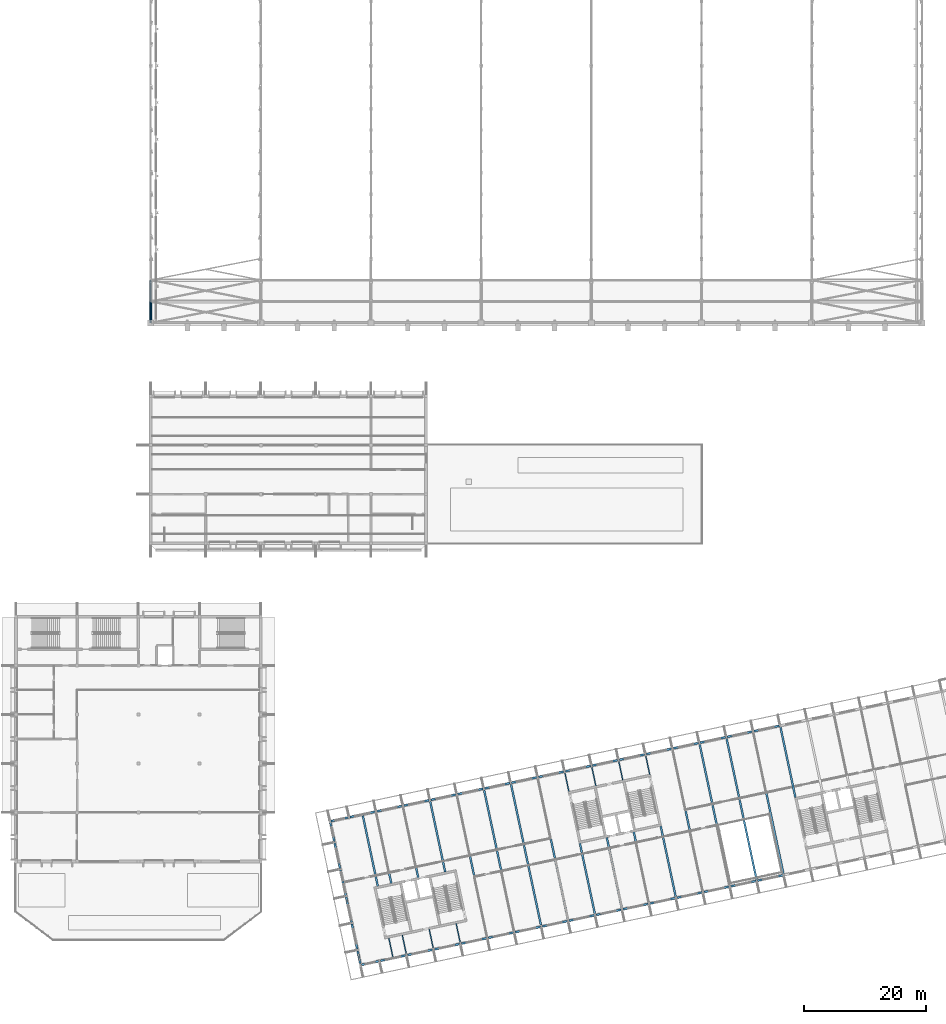
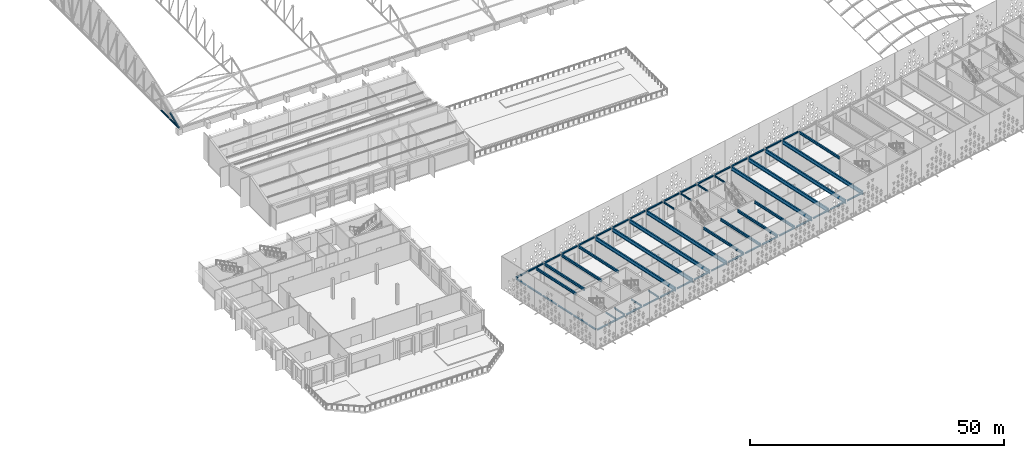
# One storey, part 26 of 196: 64 beams, 2 members.
"""IFC4 building model written with IfcOpenShell, lengths in metres."""

from ifc_helpers import new_model, si_unit, direction, frame, origin, origin_2d, place, context, subcontext, project, spatial, hollow_circle, i_section, extrude, material, material_profile, profile_set, type_object, element, save


model = new_model("IFC4")

# Units and contexts
model_context = context("Model", 3, precision=1e-05, world=origin(), true_north=direction((0.0, 1.0)))
body_context = subcontext(model_context, "Body", "Model", "MODEL_VIEW")
ifc_project = project(units=[si_unit("LENGTHUNIT", "METRE"), si_unit("AREAUNIT", "SQUARE_METRE"), si_unit("VOLUMEUNIT", "CUBIC_METRE"), si_unit("PLANEANGLEUNIT", "RADIAN"), si_unit("MASSUNIT", "GRAM", prefix="KILO")], contexts=[model_context])

# Site, building, storey
site_placement = place(None, origin())
site = spatial("IfcSite", under=ifc_project, at=site_placement, CompositionType="ELEMENT")
building_placement = place(site_placement, origin())
building = spatial("IfcBuilding", under=site, at=building_placement, Name="Okhra Congress Centre", CompositionType="ELEMENT")
storey_placement = place(building_placement, frame((0.0, 0.0, 12.0)))
storey = spatial("IfcBuildingStorey", under=building, at=storey_placement, Name="L02", CompositionType="ELEMENT", Elevation=12.0)

# Members
ifc_material_1 = material(Name="Steel S355J2H", Category="steel")
ifc_material_profile_1 = material_profile(ifc_material_1, hollow_circle(Radius=0.177734375, WallThickness=0.02490234375, at=origin_2d()), Name="CHS 355.6x25.0")
ifc_profile_set_1 = profile_set([ifc_material_profile_1], Name="Steel S355J2H")
member_type_1 = type_object("IfcMemberType", Name="CHS 355.6x25.0", PredefinedType="CHORD", material=ifc_profile_set_1)
member_1_placement = place(storey_placement, frame((28.0, 132.0, 1.39990234375), z_axis=(0.0, 1.0, 0.0), x_axis=(-1.0, 0.0, 0.0)))
element("IfcMember", 1, at=member_1_placement, inside=storey, type_object=member_type_1, Name="EH.MEM.L02.T1-BOT-01", PredefinedType="CHORD", context=body_context, shape_type="SweptSolid", body=[
    extrude(hollow_circle(Radius=0.177734375, WallThickness=0.02490234375, at=origin_2d()), origin(), (0.0, 0.0, 1.0), 7.0),
])
ifc_material_profile_2 = material_profile(ifc_material_1, hollow_circle(Radius=0.203125, WallThickness=0.02490234375, at=origin_2d()), Name="CHS 406.4x25.0")
ifc_profile_set_2 = profile_set([ifc_material_profile_2], Name="Steel S355J2H")
member_type_2 = type_object("IfcMemberType", Name="CHS 406.4x25.0", PredefinedType="CHORD", material=ifc_profile_set_2)
member_2_placement = place(storey_placement, frame((28.0, 132.0, 1.39990234375), z_axis=(0.0, 0.912710800597, 0.408606160591), x_axis=(-1.0, 0.0, 0.0)))
element("IfcMember", 2, at=member_2_placement, inside=storey, type_object=member_type_2, Name="EH.MEM.L02.T1-TOP-01", PredefinedType="CHORD", context=body_context, shape_type="SweptSolid", body=[
    extrude(hollow_circle(Radius=0.203125, WallThickness=0.02490234375, at=origin_2d()), origin(), (0.0, 0.0, 1.0), 3.834716796875),
])

# Beams
ifc_material_2 = material(Name="Steel S355J2", Category="steel")
ifc_material_profile_3 = material_profile(ifc_material_2, i_section(OverallWidth=0.300048828125, OverallDepth=0.2900390625, WebThickness=0.008544921875, FlangeThickness=0.013916015625, FilletRadius=0.027099609375, at=origin_2d()), Name="HE 300 A")
ifc_profile_set_3 = profile_set([ifc_material_profile_3], Name="Steel S355J2")
beam_type_1 = type_object("IfcBeamType", Name="Edge beam HE 300 A", PredefinedType="BEAM", material=ifc_profile_set_3)
beam_1_placement = place(storey_placement, frame((62.453857421875, 27.115966796875, 4.5048828125), z_axis=(0.978151512004, 0.207893288886, 0.0), x_axis=(-0.207893288886, 0.978151512004, 0.0)))
element("IfcBeam", 3, at=beam_1_placement, inside=storey, type_object=beam_type_1, Name="Edge beam S1", PredefinedType="BEAM", context=body_context, shape_type="SweptSolid", body=[
    extrude(i_section(OverallWidth=0.300048828125, OverallDepth=0.2900390625, WebThickness=0.008544921875, FlangeThickness=0.013916015625, FilletRadius=0.027099609375, at=origin_2d()), origin(), (0.0, 0.0, 1.0), 2.874755859375),
])
beam_2_placement = place(storey_placement, frame((65.559326171875, 27.776123046875, 4.5048828125), z_axis=(0.978155748334, 0.207873355681, 0.0), x_axis=(-0.207873355681, 0.978155748334, 0.0)))
element("IfcBeam", 4, at=beam_2_placement, inside=storey, type_object=beam_type_1, Name="Edge beam S2", PredefinedType="BEAM", context=body_context, shape_type="SweptSolid", body=[
    extrude(i_section(OverallWidth=0.300048828125, OverallDepth=0.2900390625, WebThickness=0.008544921875, FlangeThickness=0.013916015625, FilletRadius=0.027099609375, at=origin_2d()), origin(), (0.0, 0.0, 1.0), 4.199951171875),
])
beam_3_placement = place(storey_placement, frame((69.9609375, 28.711669921875, 4.5048828125), z_axis=(0.978146440129, 0.207917150959, 0.0), x_axis=(-0.207917150959, 0.978146440129, 0.0)))
element("IfcBeam", 5, at=beam_3_placement, inside=storey, type_object=beam_type_1, Name="Edge beam S3", PredefinedType="BEAM", context=body_context, shape_type="SweptSolid", body=[
    extrude(i_section(OverallWidth=0.300048828125, OverallDepth=0.2900390625, WebThickness=0.008544921875, FlangeThickness=0.013916015625, FilletRadius=0.027099609375, at=origin_2d()), origin(), (0.0, 0.0, 1.0), 4.2001953125),
])
for number, where, z_axis, x_axis, name in (
    (6, (74.36279296875, 29.647216796875, 4.5048828125), (0.978143927149, 0.207928972925, 0.0), (-0.207928972925, 0.978143927149, 0.0), "Edge beam S4"),
    (7, (78.764404296875, 30.582763671875, 4.5048828125), (0.978143927149, 0.207928972925, 0.0), (-0.207928972925, 0.978143927149, 0.0), "Edge beam S5"),
    (8, (83.166015625, 31.5185546875, 4.5048828125), (0.978155748334, 0.207873355681, 0.0), (-0.207873355681, 0.978155748334, 0.0), "Edge beam S6"),
):
    element("IfcBeam", number, at=place(storey_placement, frame(where, z_axis=z_axis, x_axis=x_axis)), inside=storey, type_object=beam_type_1, Name=name, PredefinedType="BEAM", context=body_context, shape_type="SweptSolid", body=[
        extrude(i_section(OverallWidth=0.300048828125, OverallDepth=0.2900390625, WebThickness=0.008544921875, FlangeThickness=0.013916015625, FilletRadius=0.027099609375, at=origin_2d()), origin(), (0.0, 0.0, 1.0), 4.199951171875),
    ])
beam_4_placement = place(storey_placement, frame((87.567626953125, 32.4541015625, 4.5048828125), z_axis=(0.97815826, 0.207861536591, 0.0), x_axis=(-0.207861536591, 0.97815826, 0.0)))
element("IfcBeam", 9, at=beam_4_placement, inside=storey, type_object=beam_type_1, Name="Edge beam S7", PredefinedType="BEAM", context=body_context, shape_type="SweptSolid", body=[
    extrude(i_section(OverallWidth=0.300048828125, OverallDepth=0.2900390625, WebThickness=0.008544921875, FlangeThickness=0.013916015625, FilletRadius=0.027099609375, at=origin_2d()), origin(), (0.0, 0.0, 1.0), 4.2001953125),
])
for number, where, z_axis, x_axis, name in (
    (10, (91.969482421875, 33.3896484375, 4.5048828125), (0.978143927149, 0.207928972925, 0.0), (-0.207928972925, 0.978143927149, 0.0), "Edge beam S8"),
    (11, (96.37109375, 34.3251953125, 4.5048828125), (0.978143927149, 0.207928972925, 0.0), (-0.207928972925, 0.978143927149, 0.0), "Edge beam S9"),
    (12, (100.772705078125, 35.2607421875, 4.5048828125), (0.978143927149, 0.207928972925, 0.0), (-0.207928972925, 0.978143927149, 0.0), "Edge beam S10"),
    (13, (105.17431640625, 36.196533203125, 4.5048828125), (0.978155748334, 0.207873355681, 0.0), (-0.207873355681, 0.978155748334, 0.0), "Edge beam S11"),
):
    element("IfcBeam", number, at=place(storey_placement, frame(where, z_axis=z_axis, x_axis=x_axis)), inside=storey, type_object=beam_type_1, Name=name, PredefinedType="BEAM", context=body_context, shape_type="SweptSolid", body=[
        extrude(i_section(OverallWidth=0.300048828125, OverallDepth=0.2900390625, WebThickness=0.008544921875, FlangeThickness=0.013916015625, FilletRadius=0.027099609375, at=origin_2d()), origin(), (0.0, 0.0, 1.0), 4.199951171875),
    ])
beam_5_placement = place(storey_placement, frame((109.575927734375, 37.132080078125, 4.5048828125), z_axis=(0.978146440129, 0.207917150959, 0.0), x_axis=(-0.207917150959, 0.978146440129, 0.0)))
element("IfcBeam", 14, at=beam_5_placement, inside=storey, type_object=beam_type_1, Name="Edge beam S12", PredefinedType="BEAM", context=body_context, shape_type="SweptSolid", body=[
    extrude(i_section(OverallWidth=0.300048828125, OverallDepth=0.2900390625, WebThickness=0.008544921875, FlangeThickness=0.013916015625, FilletRadius=0.027099609375, at=origin_2d()), origin(), (0.0, 0.0, 1.0), 4.2001953125),
])
for number, where, z_axis, x_axis, name in (
    (15, (113.977783203125, 38.067626953125, 4.5048828125), (0.978143927149, 0.207928972925, 0.0), (-0.207928972925, 0.978143927149, 0.0), "Edge beam S13"),
    (16, (118.37939453125, 39.003173828125, 4.5048828125), (0.978143927149, 0.207928972925, 0.0), (-0.207928972925, 0.978143927149, 0.0), "Edge beam S14"),
    (17, (122.781005859375, 39.93896484375, 4.5048828125), (0.978155748334, 0.207873355681, 0.0), (-0.207873355681, 0.978155748334, 0.0), "Edge beam S15"),
):
    element("IfcBeam", number, at=place(storey_placement, frame(where, z_axis=z_axis, x_axis=x_axis)), inside=storey, type_object=beam_type_1, Name=name, PredefinedType="BEAM", context=body_context, shape_type="SweptSolid", body=[
        extrude(i_section(OverallWidth=0.300048828125, OverallDepth=0.2900390625, WebThickness=0.008544921875, FlangeThickness=0.013916015625, FilletRadius=0.027099609375, at=origin_2d()), origin(), (0.0, 0.0, 1.0), 4.199951171875),
    ])
beam_6_placement = place(storey_placement, frame((127.1826171875, 40.87451171875, 4.5048828125), z_axis=(0.978146440129, 0.207917150959, 0.0), x_axis=(-0.207917150959, 0.978146440129, 0.0)))
element("IfcBeam", 18, at=beam_6_placement, inside=storey, type_object=beam_type_1, Name="Edge beam S16", PredefinedType="BEAM", context=body_context, shape_type="SweptSolid", body=[
    extrude(i_section(OverallWidth=0.300048828125, OverallDepth=0.2900390625, WebThickness=0.008544921875, FlangeThickness=0.013916015625, FilletRadius=0.027099609375, at=origin_2d()), origin(), (0.0, 0.0, 1.0), 4.2001953125),
])
beam_7_placement = place(storey_placement, frame((57.4638671875, 50.591552734375, 4.5048828125), z_axis=(0.978155181918, 0.207876020951, 0.0), x_axis=(-0.207876020951, 0.978155181918, 0.0)))
element("IfcBeam", 19, at=beam_7_placement, inside=storey, type_object=beam_type_1, Name="Edge beam N1", PredefinedType="BEAM", context=body_context, shape_type="SweptSolid", body=[
    extrude(i_section(OverallWidth=0.300048828125, OverallDepth=0.2900390625, WebThickness=0.008544921875, FlangeThickness=0.013916015625, FilletRadius=0.027099609375, at=origin_2d()), origin(), (0.0, 0.0, 1.0), 2.875),
])
for number, where, z_axis, x_axis, name in (
    (20, (60.569580078125, 51.25146484375, 4.5048828125), (0.978143927149, 0.207928972925, 0.0), (-0.207928972925, 0.978143927149, 0.0), "Edge beam N2"),
    (21, (64.97119140625, 52.187255859375, 4.5048828125), (0.978155748334, 0.207873355681, 0.0), (-0.207873355681, 0.978155748334, 0.0), "Edge beam N3"),
    (22, (69.372802734375, 53.122802734375, 4.5048828125), (0.978143927149, 0.207928972925, 0.0), (-0.207928972925, 0.978143927149, 0.0), "Edge beam N4"),
):
    element("IfcBeam", number, at=place(storey_placement, frame(where, z_axis=z_axis, x_axis=x_axis)), inside=storey, type_object=beam_type_1, Name=name, PredefinedType="BEAM", context=body_context, shape_type="SweptSolid", body=[
        extrude(i_section(OverallWidth=0.300048828125, OverallDepth=0.2900390625, WebThickness=0.008544921875, FlangeThickness=0.013916015625, FilletRadius=0.027099609375, at=origin_2d()), origin(), (0.0, 0.0, 1.0), 4.199951171875),
    ])
beam_8_placement = place(storey_placement, frame((73.7744140625, 54.058349609375, 4.5048828125), z_axis=(0.978146440129, 0.207917150959, 0.0), x_axis=(-0.207917150959, 0.978146440129, 0.0)))
element("IfcBeam", 23, at=beam_8_placement, inside=storey, type_object=beam_type_1, Name="Edge beam N5", PredefinedType="BEAM", context=body_context, shape_type="SweptSolid", body=[
    extrude(i_section(OverallWidth=0.300048828125, OverallDepth=0.2900390625, WebThickness=0.008544921875, FlangeThickness=0.013916015625, FilletRadius=0.027099609375, at=origin_2d()), origin(), (0.0, 0.0, 1.0), 4.2001953125),
])
for number, where, z_axis, x_axis, name in (
    (24, (78.17626953125, 54.993896484375, 4.5048828125), (0.978143927149, 0.207928972925, 0.0), (-0.207928972925, 0.978143927149, 0.0), "Edge beam N6"),
    (25, (82.577880859375, 55.9296875, 4.5048828125), (0.978155748334, 0.207873355681, 0.0), (-0.207873355681, 0.978155748334, 0.0), "Edge beam N7"),
    (26, (86.9794921875, 56.865234375, 4.5048828125), (0.978143927149, 0.207928972925, 0.0), (-0.207928972925, 0.978143927149, 0.0), "Edge beam N8"),
    (27, (91.381103515625, 57.80078125, 4.5048828125), (0.978143927149, 0.207928972925, 0.0), (-0.207928972925, 0.978143927149, 0.0), "Edge beam N9"),
):
    element("IfcBeam", number, at=place(storey_placement, frame(where, z_axis=z_axis, x_axis=x_axis)), inside=storey, type_object=beam_type_1, Name=name, PredefinedType="BEAM", context=body_context, shape_type="SweptSolid", body=[
        extrude(i_section(OverallWidth=0.300048828125, OverallDepth=0.2900390625, WebThickness=0.008544921875, FlangeThickness=0.013916015625, FilletRadius=0.027099609375, at=origin_2d()), origin(), (0.0, 0.0, 1.0), 4.199951171875),
    ])
beam_9_placement = place(storey_placement, frame((95.78271484375, 58.736328125, 4.5048828125), z_axis=(0.978146440129, 0.207917150959, 0.0), x_axis=(-0.207917150959, 0.978146440129, 0.0)))
element("IfcBeam", 28, at=beam_9_placement, inside=storey, type_object=beam_type_1, Name="Edge beam N10", PredefinedType="BEAM", context=body_context, shape_type="SweptSolid", body=[
    extrude(i_section(OverallWidth=0.300048828125, OverallDepth=0.2900390625, WebThickness=0.008544921875, FlangeThickness=0.013916015625, FilletRadius=0.027099609375, at=origin_2d()), origin(), (0.0, 0.0, 1.0), 4.2001953125),
])
for number, where, z_axis, x_axis, name in (
    (29, (100.1845703125, 59.671875, 4.5048828125), (0.978143927149, 0.207928972925, 0.0), (-0.207928972925, 0.978143927149, 0.0), "Edge beam N11"),
    (30, (104.586181640625, 60.607666015625, 4.5048828125), (0.978155748334, 0.207873355681, 0.0), (-0.207873355681, 0.978155748334, 0.0), "Edge beam N12"),
    (31, (108.98779296875, 61.543212890625, 4.5048828125), (0.978143927149, 0.207928972925, 0.0), (-0.207928972925, 0.978143927149, 0.0), "Edge beam N13"),
):
    element("IfcBeam", number, at=place(storey_placement, frame(where, z_axis=z_axis, x_axis=x_axis)), inside=storey, type_object=beam_type_1, Name=name, PredefinedType="BEAM", context=body_context, shape_type="SweptSolid", body=[
        extrude(i_section(OverallWidth=0.300048828125, OverallDepth=0.2900390625, WebThickness=0.008544921875, FlangeThickness=0.013916015625, FilletRadius=0.027099609375, at=origin_2d()), origin(), (0.0, 0.0, 1.0), 4.199951171875),
    ])
for number, where, z_axis, x_axis, name in (
    (32, (113.389404296875, 62.478759765625, 4.5048828125), (0.978146440129, 0.207917150959, 0.0), (-0.207917150959, 0.978146440129, 0.0), "Edge beam N14"),
    (33, (117.791015625, 63.414306640625, 4.5048828125), (0.978146440129, 0.207917150959, 0.0), (-0.207917150959, 0.978146440129, 0.0), "Edge beam N15"),
):
    element("IfcBeam", number, at=place(storey_placement, frame(where, z_axis=z_axis, x_axis=x_axis)), inside=storey, type_object=beam_type_1, Name=name, PredefinedType="BEAM", context=body_context, shape_type="SweptSolid", body=[
        extrude(i_section(OverallWidth=0.300048828125, OverallDepth=0.2900390625, WebThickness=0.008544921875, FlangeThickness=0.013916015625, FilletRadius=0.027099609375, at=origin_2d()), origin(), (0.0, 0.0, 1.0), 4.2001953125),
    ])
for number, where, z_axis, x_axis, name in (
    (34, (122.19287109375, 64.35009765625, 4.5048828125), (0.978155748334, 0.207873355681, 0.0), (-0.207873355681, 0.978155748334, 0.0), "Edge beam N16"),
    (35, (126.594482421875, 65.28564453125, 4.5048828125), (0.978143927149, 0.207928972925, 0.0), (-0.207928972925, 0.978143927149, 0.0), "Edge beam N17"),
):
    element("IfcBeam", number, at=place(storey_placement, frame(where, z_axis=z_axis, x_axis=x_axis)), inside=storey, type_object=beam_type_1, Name=name, PredefinedType="BEAM", context=body_context, shape_type="SweptSolid", body=[
        extrude(i_section(OverallWidth=0.300048828125, OverallDepth=0.2900390625, WebThickness=0.008544921875, FlangeThickness=0.013916015625, FilletRadius=0.027099609375, at=origin_2d()), origin(), (0.0, 0.0, 1.0), 4.199951171875),
    ])
beam_10_placement = place(storey_placement, frame((62.26123046875, 27.2998046875, 4.5048828125), z_axis=(-0.207834022607, 0.978164106399, 0.0), x_axis=(-0.978164106399, -0.207834022607, 0.0)))
element("IfcBeam", 36, at=beam_10_placement, inside=storey, type_object=beam_type_1, Name="Edge beam W1", PredefinedType="BEAM", context=body_context, shape_type="SweptSolid", body=[
    extrude(i_section(OverallWidth=0.300048828125, OverallDepth=0.2900390625, WebThickness=0.008544921875, FlangeThickness=0.013916015625, FilletRadius=0.027099609375, at=origin_2d()), origin(), (0.0, 0.0, 1.0), 2.125),
])
beam_11_placement = place(storey_placement, frame((61.757080078125, 29.671875, 4.5048828125), z_axis=(-0.207928972925, 0.978143927149, 0.0), x_axis=(-0.978143927149, -0.207928972925, 0.0)))
element("IfcBeam", 37, at=beam_11_placement, inside=storey, type_object=beam_type_1, Name="Edge beam W2", PredefinedType="BEAM", context=body_context, shape_type="SweptSolid", body=[
    extrude(i_section(OverallWidth=0.300048828125, OverallDepth=0.2900390625, WebThickness=0.008544921875, FlangeThickness=0.013916015625, FilletRadius=0.027099609375, at=origin_2d()), origin(), (0.0, 0.0, 1.0), 4.199951171875),
])
beam_12_placement = place(storey_placement, frame((60.821533203125, 34.073486328125, 4.5048828125), z_axis=(-0.207917150959, 0.978146440129, 0.0), x_axis=(-0.978146440129, -0.207917150959, 0.0)))
element("IfcBeam", 38, at=beam_12_placement, inside=storey, type_object=beam_type_1, Name="Edge beam W3", PredefinedType="BEAM", context=body_context, shape_type="SweptSolid", body=[
    extrude(i_section(OverallWidth=0.300048828125, OverallDepth=0.2900390625, WebThickness=0.008544921875, FlangeThickness=0.013916015625, FilletRadius=0.027099609375, at=origin_2d()), origin(), (0.0, 0.0, 1.0), 4.2001953125),
])
for number, where, z_axis, x_axis, name in (
    (39, (59.885986328125, 38.475341796875, 4.5048828125), (-0.207928972925, 0.978143927149, 0.0), (-0.978143927149, -0.207928972925, 0.0), "Edge beam W4"),
    (40, (58.9501953125, 42.876953125, 4.5048828125), (-0.207873355681, 0.978155748334, 0.0), (-0.978155748334, -0.207873355681, 0.0), "Edge beam W5"),
):
    element("IfcBeam", number, at=place(storey_placement, frame(where, z_axis=z_axis, x_axis=x_axis)), inside=storey, type_object=beam_type_1, Name=name, PredefinedType="BEAM", context=body_context, shape_type="SweptSolid", body=[
        extrude(i_section(OverallWidth=0.300048828125, OverallDepth=0.2900390625, WebThickness=0.008544921875, FlangeThickness=0.013916015625, FilletRadius=0.027099609375, at=origin_2d()), origin(), (0.0, 0.0, 1.0), 4.199951171875),
    ])
beam_13_placement = place(storey_placement, frame((58.0146484375, 47.278564453125, 4.5048828125), z_axis=(-0.207933268122, 0.978143014087, 0.0), x_axis=(-0.978143014087, -0.207933268122, 0.0)))
element("IfcBeam", 41, at=beam_13_placement, inside=storey, type_object=beam_type_1, Name="Edge beam W6", PredefinedType="BEAM", context=body_context, shape_type="SweptSolid", body=[
    extrude(i_section(OverallWidth=0.300048828125, OverallDepth=0.2900390625, WebThickness=0.008544921875, FlangeThickness=0.013916015625, FilletRadius=0.027099609375, at=origin_2d()), origin(), (0.0, 0.0, 1.0), 3.135009765625),
])
ifc_material_profile_4 = material_profile(ifc_material_2, i_section(OverallWidth=0.300048828125, OverallDepth=0.590087890625, WebThickness=0.012939453125, FlangeThickness=0.02490234375, FilletRadius=0.027099609375, at=origin_2d()), Name="HE 600 A")
ifc_profile_set_4 = profile_set([ifc_material_profile_4], Name="Steel S355J2")
beam_type_2 = type_object("IfcBeamType", Name="Floor beam HE 600 A", PredefinedType="BEAM", material=ifc_profile_set_4)
for number, where, z_axis, x_axis, name in (
    (42, (65.123779296875, 39.926025390625, 4.35498046875), (-0.207910203977, 0.97814791677, 0.0), (-0.97814791677, -0.207910203977, 0.0), "Floor beam 1.2"),
    (43, (67.324462890625, 40.393798828125, 4.35498046875), (-0.207910203977, 0.97814791677, 0.0), (-0.97814791677, -0.207910203977, 0.0), "Floor beam 2.2"),
):
    element("IfcBeam", number, at=place(storey_placement, frame(where, z_axis=z_axis, x_axis=x_axis)), inside=storey, type_object=beam_type_2, Name=name, PredefinedType="BEAM", context=body_context, shape_type="SweptSolid", body=[
        extrude(i_section(OverallWidth=0.300048828125, OverallDepth=0.590087890625, WebThickness=0.012939453125, FlangeThickness=0.02490234375, FilletRadius=0.027099609375, at=origin_2d()), origin(), (0.0, 0.0, 1.0), 11.804931640625),
    ])
for number, where, z_axis, x_axis, name in (
    (44, (71.726318359375, 41.329345703125, 4.35498046875), (-0.207925785074, 0.978144604801, 0.0), (-0.978144604801, -0.207925785074, 0.0), "Floor beam 3.2"),
    (45, (76.1279296875, 42.264892578125, 4.35498046875), (-0.207905998145, 0.978148810731, 0.0), (-0.978148810731, -0.207905998145, 0.0), "Floor beam 4.2"),
    (46, (100.580322265625, 35.44482421875, 4.35498046875), (-0.207925785074, 0.978144604801, 0.0), (-0.978144604801, -0.207925785074, 0.0), "Floor beam 9.1"),
    (47, (104.98193359375, 36.38037109375, 4.35498046875), (-0.207905998145, 0.978148810731, 0.0), (-0.978148810731, -0.207905998145, 0.0), "Floor beam 10.1"),
):
    element("IfcBeam", number, at=place(storey_placement, frame(where, z_axis=z_axis, x_axis=x_axis)), inside=storey, type_object=beam_type_2, Name=name, PredefinedType="BEAM", context=body_context, shape_type="SweptSolid", body=[
        extrude(i_section(OverallWidth=0.300048828125, OverallDepth=0.590087890625, WebThickness=0.012939453125, FlangeThickness=0.02490234375, FilletRadius=0.027099609375, at=origin_2d()), origin(), (0.0, 0.0, 1.0), 11.80517578125),
    ])
for number, where, z_axis, x_axis, name in (
    (48, (109.383544921875, 37.316162109375, 4.35498046875), (-0.207910203977, 0.97814791677, 0.0), (-0.97814791677, -0.207910203977, 0.0), "Floor beam 11.1"),
    (49, (113.78515625, 38.251708984375, 4.35498046875), (-0.207910203977, 0.97814791677, 0.0), (-0.97814791677, -0.207910203977, 0.0), "Floor beam 12.1"),
):
    element("IfcBeam", number, at=place(storey_placement, frame(where, z_axis=z_axis, x_axis=x_axis)), inside=storey, type_object=beam_type_2, Name=name, PredefinedType="BEAM", context=body_context, shape_type="SweptSolid", body=[
        extrude(i_section(OverallWidth=0.300048828125, OverallDepth=0.590087890625, WebThickness=0.012939453125, FlangeThickness=0.02490234375, FilletRadius=0.027099609375, at=origin_2d()), origin(), (0.0, 0.0, 1.0), 11.804931640625),
    ])
beam_14_placement = place(storey_placement, frame((133.349609375, 54.427734375, 4.35498046875), z_axis=(-0.207905998145, 0.978148810731, 0.0), x_axis=(-0.978148810731, -0.207905998145, 0.0)))
element("IfcBeam", 50, at=beam_14_placement, inside=storey, type_object=beam_type_2, Name="Floor beam 17.2", PredefinedType="BEAM", context=body_context, shape_type="SweptSolid", body=[
    extrude(i_section(OverallWidth=0.300048828125, OverallDepth=0.590087890625, WebThickness=0.012939453125, FlangeThickness=0.02490234375, FilletRadius=0.027099609375, at=origin_2d()), origin(), (0.0, 0.0, 1.0), 11.80517578125),
])
ifc_material_profile_5 = material_profile(ifc_material_2, i_section(OverallWidth=0.300048828125, OverallDepth=0.889892578125, WebThickness=0.01611328125, FlangeThickness=0.030029296875, FilletRadius=0.030029296875, at=origin_2d()), Name="HE 900 A")
ifc_profile_set_5 = profile_set([ifc_material_profile_5], Name="Steel S355J2")
beam_type_3 = type_object("IfcBeamType", Name="Floor beam HE 900 A", PredefinedType="BEAM", material=ifc_profile_set_5)
for number, where, z_axis, x_axis, name in (
    (51, (82.9736328125, 31.702392578125, 4.205078125), (-0.207913162874, 0.978147287837, 0.0), (-0.978147287837, -0.207913162874, 0.0), "Floor beam 5.1"),
    (52, (87.375244140625, 32.637939453125, 4.205078125), (-0.207913162874, 0.978147287837, 0.0), (-0.978147287837, -0.207913162874, 0.0), "Floor beam 6.1"),
    (53, (91.77685546875, 33.57373046875, 4.205078125), (-0.207913162874, 0.978147287837, 0.0), (-0.978147287837, -0.207913162874, 0.0), "Floor beam 7.1"),
    (54, (96.178466796875, 34.50927734375, 4.205078125), (-0.207903248293, 0.97814939521, 0.0), (-0.97814939521, -0.207903248293, 0.0), "Floor beam 8.1"),
    (55, (118.186767578125, 39.187255859375, 4.205078125), (-0.207903248293, 0.97814939521, 0.0), (-0.97814939521, -0.207903248293, 0.0), "Floor beam 13.1"),
    (56, (122.588623046875, 40.122802734375, 4.205078125), (-0.207913162874, 0.978147287837, 0.0), (-0.978147287837, -0.207913162874, 0.0), "Floor beam 14.1"),
    (57, (126.990234375, 41.058349609375, 4.205078125), (-0.207913162874, 0.978147287837, 0.0), (-0.978147287837, -0.207913162874, 0.0), "Floor beam 15.1"),
    (58, (131.391845703125, 41.994140625, 4.205078125), (-0.207913162874, 0.978147287837, 0.0), (-0.978147287837, -0.207913162874, 0.0), "Floor beam 16.1"),
):
    element("IfcBeam", number, at=place(storey_placement, frame(where, z_axis=z_axis, x_axis=x_axis)), inside=storey, type_object=beam_type_3, Name=name, PredefinedType="BEAM", context=body_context, shape_type="SweptSolid", body=[
        extrude(i_section(OverallWidth=0.300048828125, OverallDepth=0.889892578125, WebThickness=0.01611328125, FlangeThickness=0.030029296875, FilletRadius=0.030029296875, at=origin_2d()), origin(), (0.0, 0.0, 1.0), 23.56005859375),
    ])
ifc_material_profile_6 = material_profile(ifc_material_2, i_section(OverallWidth=0.179931640625, OverallDepth=0.39990234375, WebThickness=0.008544921875, FlangeThickness=0.013427734375, FilletRadius=0.02099609375, at=origin_2d()), Name="IPE 400")
ifc_profile_set_6 = profile_set([ifc_material_profile_6], Name="Steel S355J2")
beam_type_4 = type_object("IfcBeamType", Name="Floor beam stub IPE 400", PredefinedType="BEAM", material=ifc_profile_set_6)
beam_15_placement = place(storey_placement, frame((67.567626953125, 28.427734375, 4.449951171875), z_axis=(-0.207843022952, 0.97816219402, 0.0), x_axis=(-0.97816219402, -0.207843022952, 0.0)))
element("IfcBeam", 59, at=beam_15_placement, inside=storey, type_object=beam_type_4, Name="Floor beam 1.1", PredefinedType="BEAM", context=body_context, shape_type="SweptSolid", body=[
    extrude(i_section(OverallWidth=0.179931640625, OverallDepth=0.39990234375, WebThickness=0.008544921875, FlangeThickness=0.013427734375, FilletRadius=0.02099609375, at=origin_2d()), origin(), (0.0, 0.0, 1.0), 3.155029296875),
])
for number, where, z_axis, x_axis, name in (
    (60, (69.7685546875, 28.895751953125, 4.449951171875), (-0.207932796537, 0.978143114337, 0.0), (-0.978143114337, -0.207932796537, 0.0), "Floor beam 2.1"),
    (61, (74.170166015625, 29.831298828125, 4.449951171875), (-0.207932796537, 0.978143114337, 0.0), (-0.978143114337, -0.207932796537, 0.0), "Floor beam 3.1"),
    (62, (78.572021484375, 30.766845703125, 4.449951171875), (-0.207932796537, 0.978143114337, 0.0), (-0.978143114337, -0.207932796537, 0.0), "Floor beam 4.1"),
    (63, (96.337890625, 55.404052734375, 4.449951171875), (-0.207932796537, 0.978143114337, 0.0), (-0.978143114337, -0.207932796537, 0.0), "Floor beam 9.2"),
    (64, (100.739501953125, 56.339599609375, 4.449951171875), (-0.207932796537, 0.978143114337, 0.0), (-0.978143114337, -0.207932796537, 0.0), "Floor beam 10.2"),
):
    element("IfcBeam", number, at=place(storey_placement, frame(where, z_axis=z_axis, x_axis=x_axis)), inside=storey, type_object=beam_type_4, Name=name, PredefinedType="BEAM", context=body_context, shape_type="SweptSolid", body=[
        extrude(i_section(OverallWidth=0.179931640625, OverallDepth=0.39990234375, WebThickness=0.008544921875, FlangeThickness=0.013427734375, FilletRadius=0.02099609375, at=origin_2d()), origin(), (0.0, 0.0, 1.0), 3.15478515625),
    ])
for number, where, z_axis, x_axis, name in (
    (65, (105.14111328125, 57.275146484375, 4.449951171875), (-0.207917058571, 0.978146459767, 0.0), (-0.978146459767, -0.207917058571, 0.0), "Floor beam 11.2"),
    (66, (109.542724609375, 58.210693359375, 4.449951171875), (-0.207917058571, 0.978146459767, 0.0), (-0.978146459767, -0.207917058571, 0.0), "Floor beam 12.2"),
):
    element("IfcBeam", number, at=place(storey_placement, frame(where, z_axis=z_axis, x_axis=x_axis)), inside=storey, type_object=beam_type_4, Name=name, PredefinedType="BEAM", context=body_context, shape_type="SweptSolid", body=[
        extrude(i_section(OverallWidth=0.179931640625, OverallDepth=0.39990234375, WebThickness=0.008544921875, FlangeThickness=0.013427734375, FilletRadius=0.02099609375, at=origin_2d()), origin(), (0.0, 0.0, 1.0), 3.155029296875),
    ])

save(model, "model.ifc")
